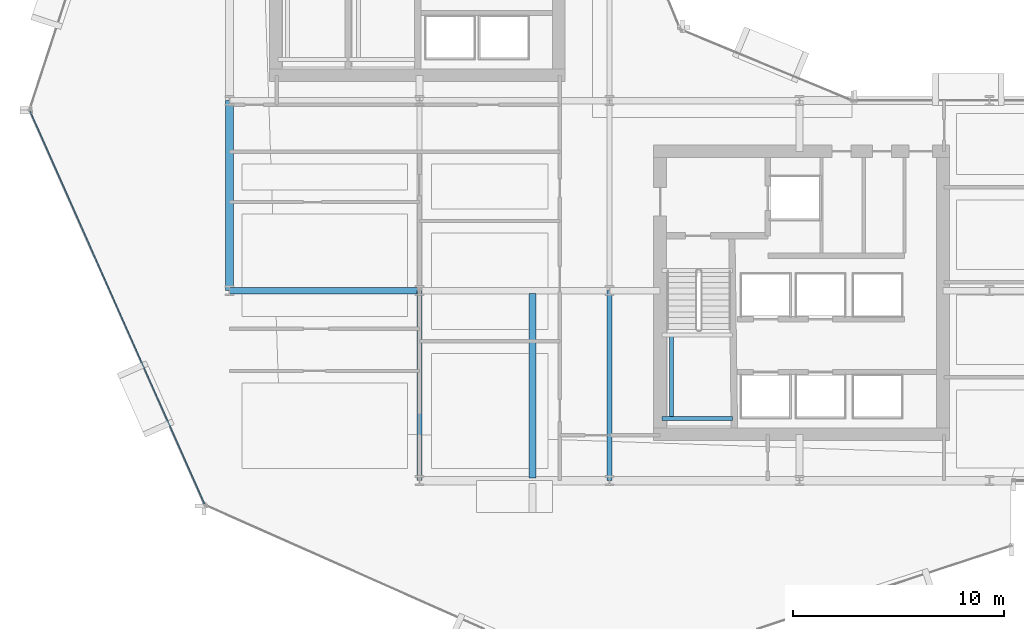
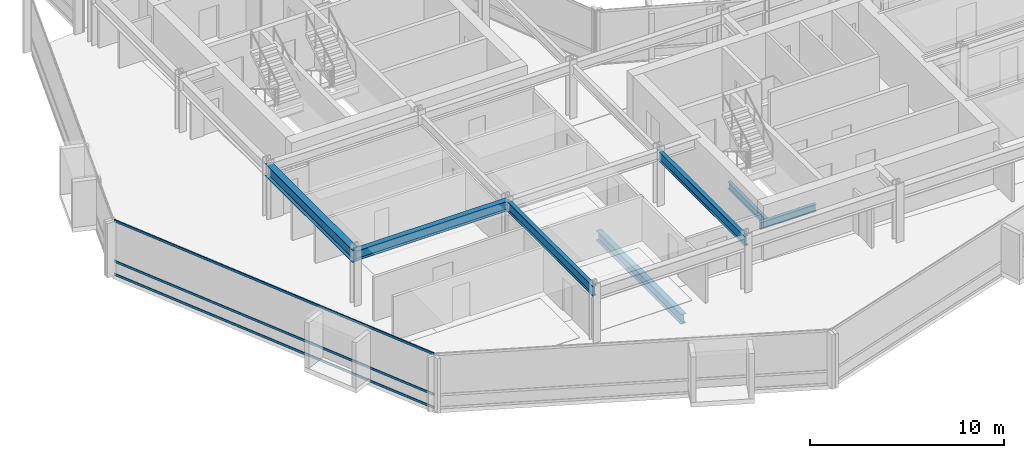
# One storey, part 5 of 34: 7 beams, 3 members, 1 element without a shape of its own.
"""IFC4 building model written with IfcOpenShell, lengths in metres."""

from ifc_helpers import new_model, si_unit, direction, frame, origin, origin_2d, place, context, subcontext, project, spatial, hollow_rectangle, i_section, extrude, material, layer, layer_set, material_profile, profile_set, type_object, element, aggregate, save


model = new_model("IFC4")

# Units and contexts
model_context = context("Model", 3, precision=1e-05, world=origin(), true_north=direction((0.0, 1.0)))
body_context = subcontext(model_context, "Body", "Model", "MODEL_VIEW")
ifc_project = project(units=[si_unit("LENGTHUNIT", "METRE"), si_unit("AREAUNIT", "SQUARE_METRE"), si_unit("VOLUMEUNIT", "CUBIC_METRE"), si_unit("PLANEANGLEUNIT", "RADIAN"), si_unit("MASSUNIT", "GRAM", prefix="KILO")], contexts=[model_context])

# Site, building, storey
site_placement = place(None, origin())
site = spatial("IfcSite", under=ifc_project, at=site_placement, CompositionType="ELEMENT")
building_placement = place(site_placement, origin())
building = spatial("IfcBuilding", under=site, at=building_placement, Name="Solvaryn Broadcast Tower", CompositionType="ELEMENT")
storey_placement = place(building_placement, frame((0.0, 0.0, 92.800048828125)))
storey = spatial("IfcBuildingStorey", under=building, at=storey_placement, Name="L22", CompositionType="ELEMENT", Elevation=92.800048828125)

# Beams
ifc_material_1 = material(Name="Steel ASTM A992 Grade 50", Category="steel")
ifc_material_profile_1 = material_profile(ifc_material_1, i_section(OverallWidth=0.323974609375, OverallDepth=0.611083984375, WebThickness=0.0126953125, FlangeThickness=0.01904296875, FilletRadius=0.014892578125, at=origin_2d()))
ifc_profile_set_1 = profile_set([ifc_material_profile_1], Name="Steel ASTM A992 Grade 50")
beam_type_1 = type_object("IfcBeamType", Name="BM-B1-W24X104", PredefinedType="BEAM", material=ifc_profile_set_1)
beam_1_placement = place(storey_placement, frame((23.35009765625, 17.875, -0.58544921875), z_axis=(0.0, -1.0, 0.0), x_axis=(1.0, 0.0, 0.0)))
element("IfcBeam", 1, at=beam_1_placement, inside=storey, type_object=beam_type_1, Name="L22 Bay-Box Back-Span Beam 1", PredefinedType="BEAM", context=body_context, shape_type="SweptSolid", body=[
    extrude(i_section(OverallWidth=0.323974609375, OverallDepth=0.611083984375, WebThickness=0.0126953125, FlangeThickness=0.01904296875, FilletRadius=0.014892578125, at=origin_2d()), origin(), (0.0, 0.0, 1.0), 8.75),
])
beam_2_placement = place(storey_placement, frame((9.0, 18.0, 3.114501953125), z_axis=(1.0, 0.0, 0.0), x_axis=(0.0, 1.0, 0.0)))
element("IfcBeam", 2, at=beam_2_placement, inside=storey, type_object=beam_type_1, Name="L22 Primary Beam X (9-18 @ Y=18)", PredefinedType="BEAM", context=body_context, shape_type="SweptSolid", body=[
    extrude(i_section(OverallWidth=0.323974609375, OverallDepth=0.611083984375, WebThickness=0.0126953125, FlangeThickness=0.01904296875, FilletRadius=0.014892578125, at=origin_2d()), origin(), (0.0, 0.0, 1.0), 9.0),
])
ifc_material_2 = material(Name="Steel ASTM A992 Grade 50", Category="steel")
ifc_material_profile_2 = material_profile(ifc_material_2, i_section(OverallWidth=0.22802734375, OverallDepth=0.60791015625, WebThickness=0.01123046875, FlangeThickness=0.017333984375, FilletRadius=0.014892578125, at=origin_2d()))
ifc_profile_set_2 = profile_set([ifc_material_profile_2], Name="Steel ASTM A992 Grade 50")
beam_type_2 = type_object("IfcBeamType", Name="BM-B2-W24X76", PredefinedType="BEAM", material=ifc_profile_set_2)
for number, where, z_axis, x_axis, name in (
    (3, (18.0, 9.0, 3.115966796875), (0.0, 1.0, 0.0), (-1.0, 0.0, 0.0), "L22 Primary Beam Y (9-18 @ X=18)"),
    (4, (27.0, 9.0, 3.115966796875), (0.0, 1.0, 0.0), (-1.0, 0.0, 0.0), "L22 Primary Beam Y (9-18 @ X=27)"),
):
    element("IfcBeam", number, at=place(storey_placement, frame(where, z_axis=z_axis, x_axis=x_axis)), inside=storey, type_object=beam_type_2, Name=name, PredefinedType="BEAM", context=body_context, shape_type="SweptSolid", body=[
        extrude(i_section(OverallWidth=0.22802734375, OverallDepth=0.60791015625, WebThickness=0.01123046875, FlangeThickness=0.017333984375, FilletRadius=0.014892578125, at=origin_2d()), origin(), (0.0, 0.0, 1.0), 9.0),
    ])
ifc_material_3 = material(Name="Steel ASTM A992 Grade 50", Category="steel")
ifc_material_profile_3 = material_profile(ifc_material_3, i_section(OverallWidth=0.18994140625, OverallDepth=0.45703125, WebThickness=0.009033203125, FlangeThickness=0.014404296875, FilletRadius=0.011962890625, at=origin_2d()))
ifc_profile_set_3 = profile_set([ifc_material_profile_3], Name="Steel ASTM A992 Grade 50")
beam_type_3 = type_object("IfcBeamType", Name="BM-B4-W18X50", PredefinedType="BEAM", material=ifc_profile_set_3)
beam_3_placement = place(storey_placement, frame((29.5, 11.949951171875, 1.42138671875), z_axis=(1.0, 0.0, 0.0), x_axis=(0.0, 1.0, 0.0)))
element("IfcBeam", 5, at=beam_3_placement, inside=storey, type_object=beam_type_3, Name="L22 ST3 Landing Support Beam 1A", PredefinedType="BEAM", context=body_context, shape_type="SweptSolid", body=[
    extrude(i_section(OverallWidth=0.18994140625, OverallDepth=0.45703125, WebThickness=0.009033203125, FlangeThickness=0.014404296875, FilletRadius=0.011962890625, at=origin_2d()), origin(), (0.0, 0.0, 1.0), 3.320068359375),
])
beam_4_placement = place(storey_placement, frame((29.949951171875, 11.949951171875, 1.42138671875), z_axis=(0.0, 1.0, 0.0), x_axis=(-1.0, 0.0, 0.0)))
element("IfcBeam", 6, at=beam_4_placement, inside=storey, type_object=beam_type_3, Name="L22 ST3 Landing Cross Stringer 1C", PredefinedType="BEAM", context=body_context, shape_type="SweptSolid", body=[
    extrude(i_section(OverallWidth=0.18994140625, OverallDepth=0.45703125, WebThickness=0.009033203125, FlangeThickness=0.014404296875, FilletRadius=0.011962890625, at=origin_2d()), origin(), (0.0, 0.0, 1.0), 3.9599609375),
])
ifc_material_4 = material(Name="Steel ASTM A992 Grade 50", Category="steel")
ifc_material_profile_4 = material_profile(ifc_material_4, i_section(OverallWidth=0.381103515625, OverallDepth=0.77294921875, WebThickness=0.0166015625, FlangeThickness=0.027099609375, FilletRadius=0.01806640625, at=origin_2d()))
ifc_profile_set_4 = profile_set([ifc_material_profile_4], Name="Steel ASTM A992 Grade 50")
beam_type_4 = type_object("IfcBeamType", Name="BM-SP1-W30X173", PredefinedType="USERDEFINED", material=ifc_profile_set_4)
beam_5_placement = place(storey_placement, frame((9.0, 18.0, 3.033447265625), z_axis=(0.0, 1.0, 0.0), x_axis=(-1.0, 0.0, 0.0)))
element("IfcBeam", 7, at=beam_5_placement, inside=storey, type_object=beam_type_4, Name="L22 Spandrel Beam Y (18-27 @ X=9)", ObjectType="SPANDREL", PredefinedType="USERDEFINED", context=body_context, shape_type="SweptSolid", body=[
    extrude(i_section(OverallWidth=0.381103515625, OverallDepth=0.77294921875, WebThickness=0.0166015625, FlangeThickness=0.027099609375, FilletRadius=0.01806640625, at=origin_2d()), origin(), (0.0, 0.0, 1.0), 9.0),
])

# Curtain wall, members
ifc_material_5 = material(Name="Aluminium and Terracotta Unitised Curtain Wall", Category="masonry")
ifc_layer = layer(ifc_material_5, 0.239990234375)
ifc_layer_set = layer_set([ifc_layer], Name="CW-SYS3-BAYBOX")
curtain_wall_type = type_object("IfcCurtainWallType", Name="CW-SYS3-BAYBOX", PredefinedType="NOTDEFINED", material=ifc_layer_set)
curtain_wall_placement = place(storey_placement, origin())
curtain_wall = element("IfcCurtainWall", 8, at=curtain_wall_placement, inside=storey, type_object=curtain_wall_type, Name="L22 Curtain Wall DR2", PredefinedType="NOTDEFINED")
ifc_material_6 = material(Name="Anodised Aluminium 6063-T6", Category="aluminium")
ifc_material_profile_5 = material_profile(ifc_material_6, hollow_rectangle(XDim=0.06494140625, YDim=0.14990234375, WallThickness=0.00390625, InnerFilletRadius=0.00390625, OuterFilletRadius=0.008056640625, at=origin_2d()))
ifc_profile_set_5 = profile_set([ifc_material_profile_5], Name="Anodised Aluminium 6063-T6")
member_type = type_object("IfcMemberType", Name="CW-TRN-150", PredefinedType="USERDEFINED", material=ifc_profile_set_5)
member_1_placement = place(storey_placement, frame((-0.439697265625, 26.505126953125, 0.030029296875), z_axis=(0.405905872269, -0.913914888191, 0.0), x_axis=(0.913914888191, 0.405905872269, 0.0)))
member_1 = element("IfcMember", 9, at=member_1_placement, type_object=member_type, Name="CWS3 transom 1.1", ObjectType="TRANSOM", PredefinedType="USERDEFINED", context=body_context, shape_type="SweptSolid", body=[
    extrude(hollow_rectangle(XDim=0.06494140625, YDim=0.14990234375, WallThickness=0.00390625, InnerFilletRadius=0.00390625, OuterFilletRadius=0.008056640625, at=origin_2d()), origin(), (0.0, 0.0, 1.0), 20.35546875),
])
member_2_placement = place(storey_placement, frame((-0.439697265625, 26.505126953125, 0.849853515625), z_axis=(0.405905872269, -0.913914888191, 0.0), x_axis=(0.913914888191, 0.405905872269, 0.0)))
member_2 = element("IfcMember", 10, at=member_2_placement, type_object=member_type, Name="CWS3 transom 1.2", ObjectType="TRANSOM", PredefinedType="USERDEFINED", context=body_context, shape_type="SweptSolid", body=[
    extrude(hollow_rectangle(XDim=0.06494140625, YDim=0.14990234375, WallThickness=0.00390625, InnerFilletRadius=0.00390625, OuterFilletRadius=0.008056640625, at=origin_2d()), origin(), (0.0, 0.0, 1.0), 20.35546875),
])
member_3_placement = place(storey_placement, frame((-0.439697265625, 26.505126953125, 3.389892578125), z_axis=(0.405905872269, -0.913914888191, 0.0), x_axis=(0.913914888191, 0.405905872269, 0.0)))
member_3 = element("IfcMember", 11, at=member_3_placement, type_object=member_type, Name="CWS3 transom 1.3", ObjectType="TRANSOM", PredefinedType="USERDEFINED", context=body_context, shape_type="SweptSolid", body=[
    extrude(hollow_rectangle(XDim=0.06494140625, YDim=0.14990234375, WallThickness=0.00390625, InnerFilletRadius=0.00390625, OuterFilletRadius=0.008056640625, at=origin_2d()), origin(), (0.0, 0.0, 1.0), 20.35546875),
])
aggregate(curtain_wall, [member_1, member_2, member_3])

save(model, "model.ifc")
